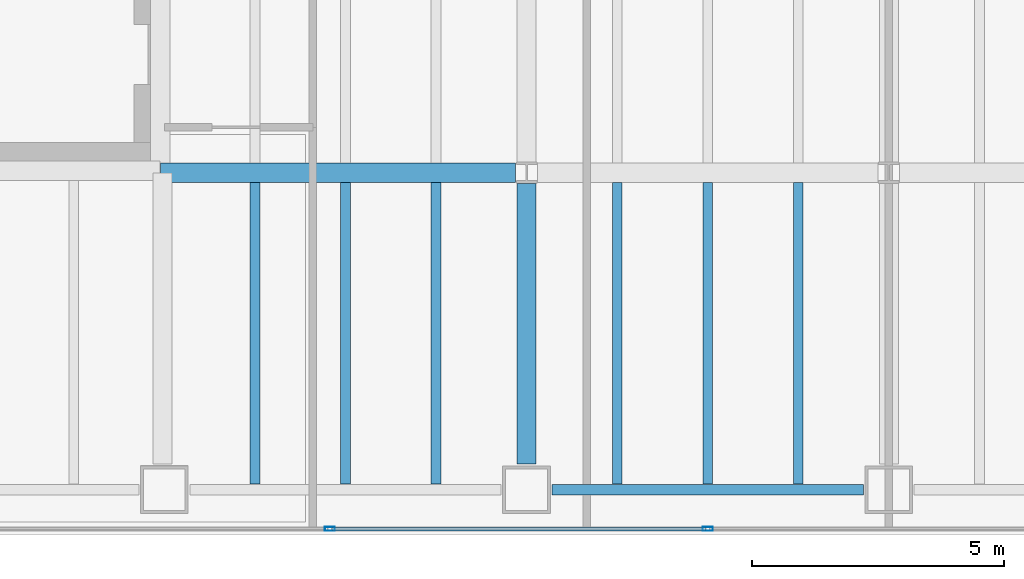
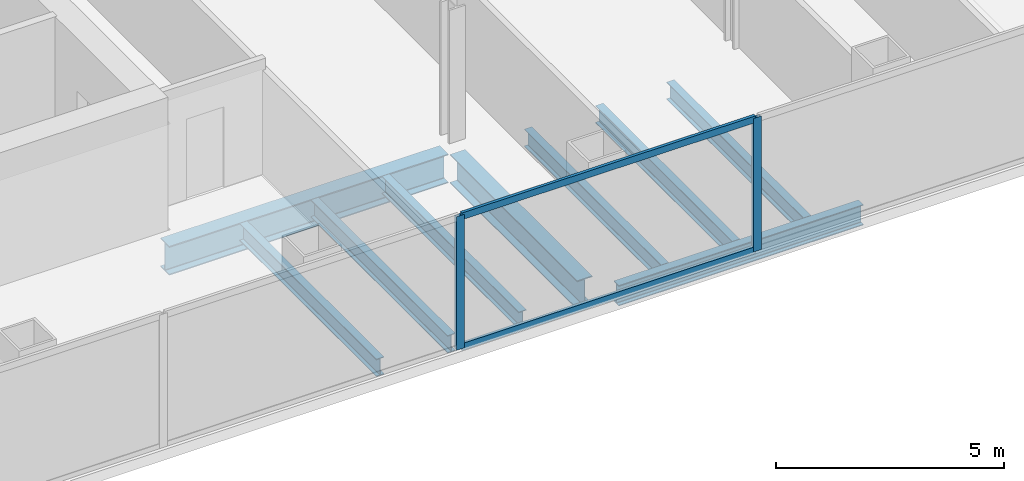
# One storey, part 4 of 24: 9 beams, 4 members, 1 element without a shape of its own.
"""IFC4 building model written with IfcOpenShell, lengths in metres."""

from ifc_helpers import new_model, si_unit, direction, frame, origin, origin_2d, place, context, subcontext, project, spatial, hollow_rectangle, i_section, extrude, material, material_profile, profile_set, type_object, element, aggregate, save


model = new_model("IFC4")

# Units and contexts
model_context = context("Model", 3, precision=1e-05, world=origin(), true_north=direction((0.0, 1.0)))
body_context = subcontext(model_context, "Body", "Model", "MODEL_VIEW")
ifc_project = project(units=[si_unit("LENGTHUNIT", "METRE"), si_unit("AREAUNIT", "SQUARE_METRE"), si_unit("VOLUMEUNIT", "CUBIC_METRE"), si_unit("PLANEANGLEUNIT", "RADIAN"), si_unit("MASSUNIT", "GRAM", prefix="KILO")], contexts=[model_context])

# Site, building, storey
site_placement = place(None, origin())
site = spatial("IfcSite", under=ifc_project, at=site_placement, CompositionType="ELEMENT")
building_placement = place(site_placement, origin())
building = spatial("IfcBuilding", under=site, at=building_placement, Name="Cobrela Telecom Tower", CompositionType="ELEMENT")
storey_placement = place(building_placement, frame((0.0, 0.0, 77.35009765625)))
storey = spatial("IfcBuildingStorey", under=building, at=storey_placement, Name="L19", CompositionType="ELEMENT", Elevation=77.35009765625)

# Beams
ifc_material_1 = material(Name="Steel ASTM A992 Grade 50", Category="steel")
ifc_material_profile_1 = material_profile(ifc_material_1, i_section(OverallWidth=0.381103515625, OverallDepth=0.77197265625, WebThickness=0.0166015625, FlangeThickness=0.027099609375, FilletRadius=0.01904296875, at=origin_2d()), Name="W30X173")
ifc_profile_set_1 = profile_set([ifc_material_profile_1], Name="Steel ASTM A992 Grade 50")
beam_type_1 = type_object("IfcBeamType", Name="BM-GIRD-04", PredefinedType="USERDEFINED", material=ifc_profile_set_1)
beam_1_placement = place(storey_placement, frame((14.324951171875, 7.199951171875, -0.666015625), z_axis=(1.0, 0.0, 0.0), x_axis=(0.0, 1.0, 0.0)))
element("IfcBeam", 1, at=beam_1_placement, inside=storey, type_object=beam_type_1, Name="L19 Primary Girder X08", ObjectType="GIRDER", PredefinedType="USERDEFINED", context=body_context, shape_type="SweptSolid", body=[
    extrude(i_section(OverallWidth=0.381103515625, OverallDepth=0.77197265625, WebThickness=0.0166015625, FlangeThickness=0.027099609375, FilletRadius=0.01904296875, at=origin_2d()), origin(), (0.0, 0.0, 1.0), 7.05908203125),
])
beam_2_placement = place(storey_placement, frame((21.60009765625, 1.405029296875, -0.666015625), z_axis=(0.0, 1.0, 0.0), x_axis=(-1.0, 0.0, 0.0)))
element("IfcBeam", 2, at=beam_2_placement, inside=storey, type_object=beam_type_1, Name="L19 Primary Girder Y40", ObjectType="GIRDER", PredefinedType="USERDEFINED", context=body_context, shape_type="SweptSolid", body=[
    extrude(i_section(OverallWidth=0.381103515625, OverallDepth=0.77197265625, WebThickness=0.0166015625, FlangeThickness=0.027099609375, FilletRadius=0.01904296875, at=origin_2d()), origin(), (0.0, 0.0, 1.0), 5.578857421875),
])
ifc_material_profile_2 = material_profile(ifc_material_1, i_section(OverallWidth=0.193115234375, OverallDepth=0.467041015625, WebThickness=0.011474609375, FlangeThickness=0.01904296875, FilletRadius=0.012939453125, at=origin_2d()), Name="W18X65")
ifc_profile_set_2 = profile_set([ifc_material_profile_2], Name="Steel ASTM A992 Grade 50")
beam_type_2 = type_object("IfcBeamType", Name="BM-JOIST-03", PredefinedType="JOIST", material=ifc_profile_set_2)
for number, where, z_axis, x_axis, name in (
    (3, (16.199951171875, 1.011474609375, -0.513671875), (0.0, 1.0, 0.0), (-1.0, 0.0, 0.0), "L19 Secondary Composite Floor Beam J07"),
    (4, (18.0, 1.011474609375, -0.513671875), (0.0, 1.0, 0.0), (-1.0, 0.0, 0.0), "L19 Secondary Composite Floor Beam J13"),
    (5, (19.800048828125, 1.011474609375, -0.513671875), (0.0, 1.0, 0.0), (-1.0, 0.0, 0.0), "L19 Secondary Composite Floor Beam J19"),
    (6, (23.39990234375, 1.011474609375, -0.513671875), (0.0, 1.0, 0.0), (-1.0, 0.0, 0.0), "L19 Secondary Composite Floor Beam J25"),
    (7, (25.199951171875, 1.011474609375, -0.513671875), (0.0, 1.0, 0.0), (-1.0, 0.0, 0.0), "L19 Secondary Composite Floor Beam J31"),
    (8, (27.0, 1.011474609375, -0.513671875), (0.0, 1.0, 0.0), (-1.0, 0.0, 0.0), "L19 Secondary Composite Floor Beam J36"),
):
    element("IfcBeam", number, at=place(storey_placement, frame(where, z_axis=z_axis, x_axis=x_axis)), inside=storey, type_object=beam_type_2, Name=name, PredefinedType="JOIST", context=body_context, shape_type="SweptSolid", body=[
        extrude(i_section(OverallWidth=0.193115234375, OverallDepth=0.467041015625, WebThickness=0.011474609375, FlangeThickness=0.01904296875, FilletRadius=0.012939453125, at=origin_2d()), origin(), (0.0, 0.0, 1.0), 5.992919921875),
    ])
ifc_material_profile_3 = material_profile(ifc_material_1, i_section(OverallWidth=0.212890625, OverallDepth=0.549072265625, WebThickness=0.0146484375, FlangeThickness=0.023681640625, FilletRadius=0.013916015625, at=origin_2d()), Name="W21X93")
ifc_profile_set_3 = profile_set([ifc_material_profile_3], Name="Steel ASTM A992 Grade 50")
beam_type_3 = type_object("IfcBeamType", Name="BM-SPAND-03", PredefinedType="SPANDREL", material=ifc_profile_set_3)
beam_3_placement = place(storey_placement, frame((22.10498046875, 0.89990234375, -0.5546875), z_axis=(1.0, 0.0, 0.0), x_axis=(0.0, 1.0, 0.0)))
element("IfcBeam", 9, at=beam_3_placement, inside=storey, type_object=beam_type_3, Name="L19 Perimeter Spandrel X03", PredefinedType="SPANDREL", context=body_context, shape_type="SweptSolid", body=[
    extrude(i_section(OverallWidth=0.212890625, OverallDepth=0.549072265625, WebThickness=0.0146484375, FlangeThickness=0.023681640625, FilletRadius=0.013916015625, at=origin_2d()), origin(), (0.0, 0.0, 1.0), 6.18994140625),
])

# Curtain wall, members
ifc_material_2 = material(Name="Anodized Bronze Aluminium 6063-T6", Category="aluminium")
curtain_wall_type = type_object("IfcCurtainWallType", Name="CW-SYS-DATA", PredefinedType="USERDEFINED", material=ifc_material_2)
curtain_wall_placement = place(storey_placement, origin())
curtain_wall = element("IfcCurtainWall", 10, at=curtain_wall_placement, inside=storey, type_object=curtain_wall_type, Name="L19 Unitised Bronze Curtain Wall 17", ObjectType="UNITISED CURTAIN WALL", PredefinedType="USERDEFINED")
ifc_material_profile_4 = material_profile(ifc_material_2, hollow_rectangle(XDim=0.080078125, YDim=0.199951171875, WallThickness=0.00390625, at=origin_2d()), Name="ALU 80x200x4")
ifc_profile_set_4 = profile_set([ifc_material_profile_4], Name="Anodized Bronze Aluminium 6063-T6")
member_type_1 = type_object("IfcMemberType", Name="CW-SYS-DATA-MUL", PredefinedType="MULLION", material=ifc_profile_set_4)
member_1_placement = place(storey_placement, frame((25.199951171875, 0.1201171875, 0.0), z_axis=(0.0, 0.0, 1.0), x_axis=(0.0, -1.0, 0.0)))
member_1 = element("IfcMember", 11, at=member_1_placement, type_object=member_type_1, Name="CW-DATA mullion 4", PredefinedType="MULLION", context=body_context, shape_type="SweptSolid", body=[
    extrude(hollow_rectangle(XDim=0.080078125, YDim=0.199951171875, WallThickness=0.00390625, at=origin_2d()), origin(), (0.0, 0.0, 1.0), 3.56982421875),
])
member_2_placement = place(storey_placement, frame((17.68994140625, 0.1201171875, 0.0), z_axis=(0.0, 0.0, 1.0), x_axis=(0.0, -1.0, 0.0)))
member_2 = element("IfcMember", 12, at=member_2_placement, type_object=member_type_1, Name="CW-DATA mullion 5", PredefinedType="MULLION", context=body_context, shape_type="SweptSolid", body=[
    extrude(hollow_rectangle(XDim=0.080078125, YDim=0.199951171875, WallThickness=0.00390625, at=origin_2d()), origin(), (0.0, 0.0, 1.0), 3.56982421875),
])
ifc_material_profile_5 = material_profile(ifc_material_2, hollow_rectangle(XDim=0.074951171875, YDim=0.179931640625, WallThickness=0.00390625, at=origin_2d()), Name="ALU 75x180x4")
ifc_profile_set_5 = profile_set([ifc_material_profile_5], Name="Anodized Bronze Aluminium 6063-T6")
member_type_2 = type_object("IfcMemberType", Name="CW-SYS-DATA-TRN", PredefinedType="USERDEFINED", material=ifc_profile_set_5)
member_3_placement = place(storey_placement, frame((25.159912109375, 0.1201171875, 0.037353515625), z_axis=(-1.0, 0.0, 0.0), x_axis=(0.0, -1.0, 0.0)))
member_3 = element("IfcMember", 13, at=member_3_placement, type_object=member_type_2, Name="CW-DATA transom 4.1", ObjectType="TRANSOM", PredefinedType="USERDEFINED", context=body_context, shape_type="SweptSolid", body=[
    extrude(hollow_rectangle(XDim=0.074951171875, YDim=0.179931640625, WallThickness=0.00390625, at=origin_2d()), origin(), (0.0, 0.0, 1.0), 7.429931640625),
])
member_4_placement = place(storey_placement, frame((25.159912109375, 0.1201171875, 3.532470703125), z_axis=(-1.0, 0.0, 0.0), x_axis=(0.0, -1.0, 0.0)))
member_4 = element("IfcMember", 14, at=member_4_placement, type_object=member_type_2, Name="CW-DATA transom 4.2", ObjectType="TRANSOM", PredefinedType="USERDEFINED", context=body_context, shape_type="SweptSolid", body=[
    extrude(hollow_rectangle(XDim=0.074951171875, YDim=0.179931640625, WallThickness=0.00390625, at=origin_2d()), origin(), (0.0, 0.0, 1.0), 7.429931640625),
])
aggregate(curtain_wall, [member_1, member_2, member_3, member_4])

save(model, "model.ifc")
